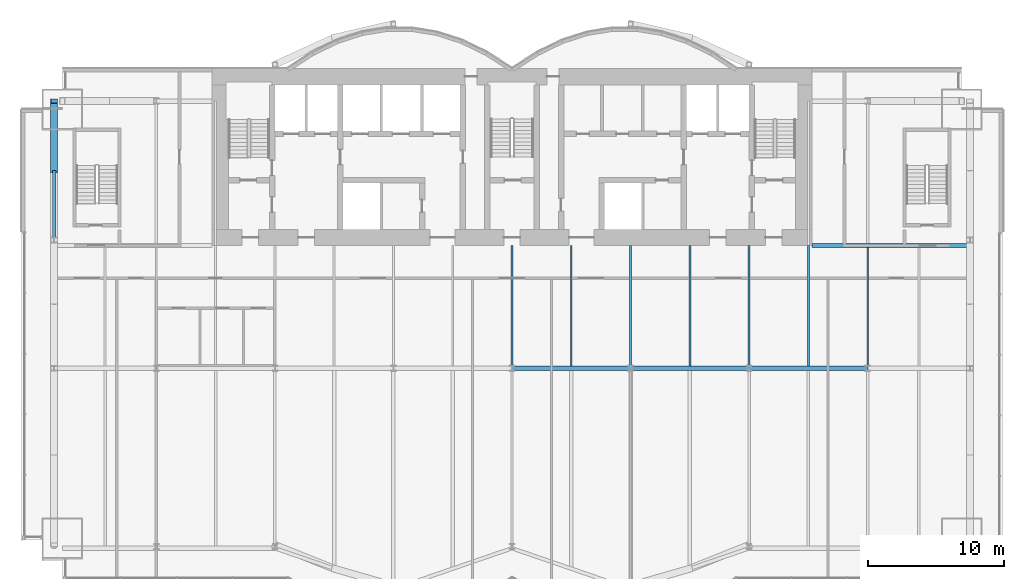
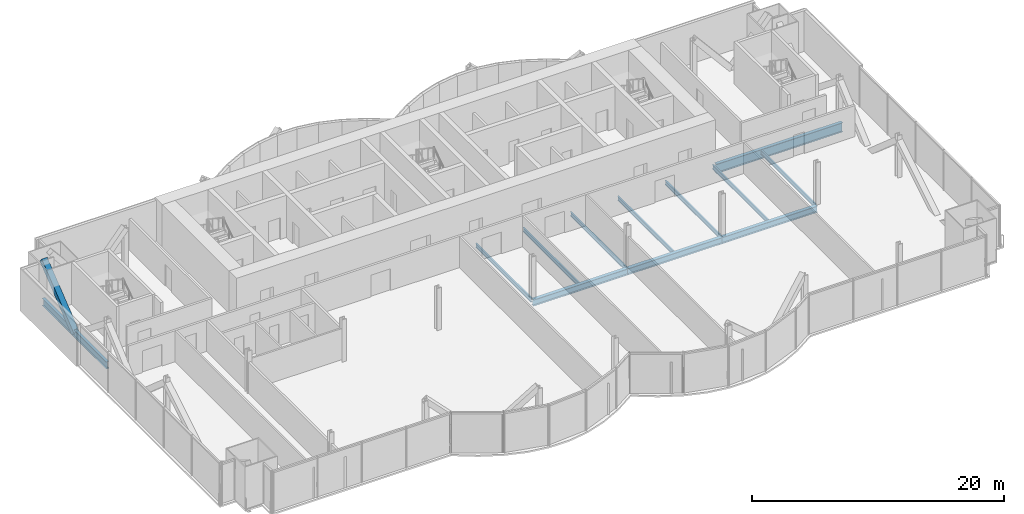
# One storey, part 9 of 21: 12 beams, 1 member.
"""IFC4 building model written with IfcOpenShell, lengths in metres."""

from ifc_helpers import new_model, si_unit, direction, frame, origin, origin_2d, place, context, subcontext, project, spatial, hollow_rectangle, i_section, extrude, material, material_profile, profile_set, type_object, element, save


model = new_model("IFC4")

# Units and contexts
model_context = context("Model", 3, precision=1e-05, world=origin(), true_north=direction((0.0, 1.0)))
body_context = subcontext(model_context, "Body", "Model", "MODEL_VIEW")
ifc_project = project(units=[si_unit("LENGTHUNIT", "METRE"), si_unit("AREAUNIT", "SQUARE_METRE"), si_unit("VOLUMEUNIT", "CUBIC_METRE"), si_unit("PLANEANGLEUNIT", "RADIAN"), si_unit("MASSUNIT", "GRAM", prefix="KILO")], contexts=[model_context])

# Site, building, storey
site_placement = place(None, origin())
site = spatial("IfcSite", under=ifc_project, at=site_placement, CompositionType="ELEMENT")
building_placement = place(site_placement, origin())
building = spatial("IfcBuilding", under=site, at=building_placement, Name="Bicima Exchange Tower", CompositionType="ELEMENT")
storey_placement = place(building_placement, frame((0.0, 0.0, 114.5)))
storey = spatial("IfcBuildingStorey", under=building, at=storey_placement, Name="L24", CompositionType="ELEMENT", Elevation=114.5)

# Beams
ifc_material_1 = material(Name="Steel ASTM A992 Gr 50", Category="steel")
ifc_material_profile_1 = material_profile(ifc_material_1, i_section(OverallWidth=0.3046875, OverallDepth=0.911865234375, WebThickness=0.015869140625, FlangeThickness=0.02392578125, at=origin_2d()))
ifc_profile_set_1 = profile_set([ifc_material_profile_1], Name="Steel ASTM A992 Gr 50")
beam_type_1 = type_object("IfcBeamType", Name="Core-line girder W36x150", PredefinedType="BEAM", material=ifc_profile_set_1)
beam_1_placement = place(storey_placement, frame((22.0, -13.0, -0.60595703125), z_axis=(1.0, 0.0, 0.0), x_axis=(0.0, 1.0, 0.0)))
element("IfcBeam", 1, at=beam_1_placement, inside=storey, type_object=beam_type_1, Name="Core-line girder", PredefinedType="BEAM", context=body_context, shape_type="SweptSolid", body=[
    extrude(i_section(OverallWidth=0.3046875, OverallDepth=0.911865234375, WebThickness=0.015869140625, FlangeThickness=0.02392578125, at=origin_2d()), origin(), (0.0, 0.0, 1.0), 11.60009765625),
])
ifc_material_profile_2 = material_profile(ifc_material_1, i_section(OverallWidth=0.256591796875, OverallDepth=0.693359375, WebThickness=0.014404296875, FlangeThickness=0.023681640625, at=origin_2d()))
ifc_profile_set_2 = profile_set([ifc_material_profile_2], Name="Steel ASTM A992 Gr 50")
beam_type_2 = type_object("IfcBeamType", Name="End girder W27x114", PredefinedType="BEAM", material=ifc_profile_set_2)
beam_2_placement = place(storey_placement, frame((-33.60009765625, -2.39990234375, -0.49658203125), z_axis=(0.0, -1.0, 0.0), x_axis=(1.0, 0.0, 0.0)))
element("IfcBeam", 2, at=beam_2_placement, inside=storey, type_object=beam_type_2, Name="End girder", PredefinedType="BEAM", context=body_context, shape_type="SweptSolid", body=[
    extrude(i_section(OverallWidth=0.256591796875, OverallDepth=0.693359375, WebThickness=0.014404296875, FlangeThickness=0.023681640625, at=origin_2d()), origin(), (0.0, 0.0, 1.0), 10.2001953125),
])
ifc_material_profile_3 = material_profile(ifc_material_1, i_section(OverallWidth=0.140380859375, OverallDepth=0.40380859375, WebThickness=0.007080078125, FlangeThickness=0.01123046875, at=origin_2d()))
ifc_profile_set_3 = profile_set([ifc_material_profile_3], Name="Steel ASTM A992 Gr 50")
beam_type_3 = type_object("IfcBeamType", Name="Floor beam W16x31", PredefinedType="JOIST", material=ifc_profile_set_3)
for number, where, z_axis, x_axis, name in (
    (3, (0.0, -13.0, -0.351806640625), (0.0, -1.0, 0.0), (1.0, 0.0, 0.0), "Floor beam"),
    (4, (4.35009765625, -13.0, -0.351806640625), (0.0, -1.0, 0.0), (1.0, 0.0, 0.0), "Floor beam"),
    (5, (8.699951171875, -13.0, -0.351806640625), (0.0, -1.0, 0.0), (1.0, 0.0, 0.0), "Floor beam"),
    (6, (13.050048828125, -13.0, -0.351806640625), (0.0, -1.0, 0.0), (1.0, 0.0, 0.0), "Floor beam"),
    (7, (17.39990234375, -13.0, -0.351806640625), (0.0, -1.0, 0.0), (1.0, 0.0, 0.0), "Floor beam"),
    (8, (21.75, -13.0, -0.351806640625), (0.0, -1.0, 0.0), (1.0, 0.0, 0.0), "Floor beam"),
):
    element("IfcBeam", number, at=place(storey_placement, frame(where, z_axis=z_axis, x_axis=x_axis)), inside=storey, type_object=beam_type_3, Name=name, PredefinedType="JOIST", context=body_context, shape_type="SweptSolid", body=[
        extrude(i_section(OverallWidth=0.140380859375, OverallDepth=0.40380859375, WebThickness=0.007080078125, FlangeThickness=0.01123046875, at=origin_2d()), origin(), (0.0, 0.0, 1.0), 8.83740234375),
    ])
beam_3_placement = place(storey_placement, frame((26.10009765625, -13.15234375, -0.351806640625), z_axis=(0.0, -1.0, 0.0), x_axis=(1.0, 0.0, 0.0)))
element("IfcBeam", 9, at=beam_3_placement, inside=storey, type_object=beam_type_3, Name="Floor beam", PredefinedType="JOIST", context=body_context, shape_type="SweptSolid", body=[
    extrude(i_section(OverallWidth=0.140380859375, OverallDepth=0.40380859375, WebThickness=0.007080078125, FlangeThickness=0.01123046875, at=origin_2d()), origin(), (0.0, 0.0, 1.0), 8.68505859375),
])

# Member
ifc_material_2 = material(Name="Steel ASTM A572 Gr 50", Category="steel")
ifc_material_profile_4 = material_profile(ifc_material_2, hollow_rectangle(XDim=0.508056640625, YDim=0.508056640625, WallThickness=0.0146484375, at=origin_2d()))
ifc_profile_set_4 = profile_set([ifc_material_profile_4], Name="Steel ASTM A572 Gr 50")
member_type = type_object("IfcMemberType", Name="Mega brace HSS20x20x5/8", PredefinedType="BRACE", material=ifc_profile_set_4)
member_placement = place(storey_placement, frame((-33.60009765625, -7.5, -0.49658203125), z_axis=(0.0, 0.779392460608, 0.626536026376), x_axis=(-1.0, 0.0, 0.0)))
element("IfcMember", 10, at=member_placement, inside=storey, type_object=member_type, Name="Mega brace west end", PredefinedType="BRACE", context=body_context, shape_type="SweptSolid", body=[
    extrude(hollow_rectangle(XDim=0.508056640625, YDim=0.508056640625, WallThickness=0.0146484375, at=origin_2d()), origin(), (0.0, 0.0, 1.0), 6.543701171875),
])

# Beams
ifc_material_profile_5 = material_profile(ifc_material_1, i_section(OverallWidth=0.3251953125, OverallDepth=0.612060546875, WebThickness=0.0126953125, FlangeThickness=0.01904296875, at=origin_2d()))
ifc_profile_set_5 = profile_set([ifc_material_profile_5], Name="Steel ASTM A992 Gr 50")
beam_type_4 = type_object("IfcBeamType", Name="Row girder W24x104", PredefinedType="BEAM", material=ifc_profile_set_5)
for number, where, z_axis, x_axis, name in (
    (11, (0.0, -22.0, -0.4560546875), (1.0, 0.0, 0.0), (0.0, 1.0, 0.0), "Row girder"),
    (12, (8.699951171875, -22.0, -0.4560546875), (1.0, 0.0, 0.0), (0.0, 1.0, 0.0), "Row girder"),
):
    element("IfcBeam", number, at=place(storey_placement, frame(where, z_axis=z_axis, x_axis=x_axis)), inside=storey, type_object=beam_type_4, Name=name, PredefinedType="BEAM", context=body_context, shape_type="SweptSolid", body=[
        extrude(i_section(OverallWidth=0.3251953125, OverallDepth=0.612060546875, WebThickness=0.0126953125, FlangeThickness=0.01904296875, at=origin_2d()), origin(), (0.0, 0.0, 1.0), 8.699951171875),
    ])
beam_4_placement = place(storey_placement, frame((17.39990234375, -22.0, -0.4560546875), z_axis=(1.0, 0.0, 0.0), x_axis=(0.0, 1.0, 0.0)))
element("IfcBeam", 13, at=beam_4_placement, inside=storey, type_object=beam_type_4, Name="Row girder", PredefinedType="BEAM", context=body_context, shape_type="SweptSolid", body=[
    extrude(i_section(OverallWidth=0.3251953125, OverallDepth=0.612060546875, WebThickness=0.0126953125, FlangeThickness=0.01904296875, at=origin_2d()), origin(), (0.0, 0.0, 1.0), 8.7001953125),
])

save(model, "model.ifc")
